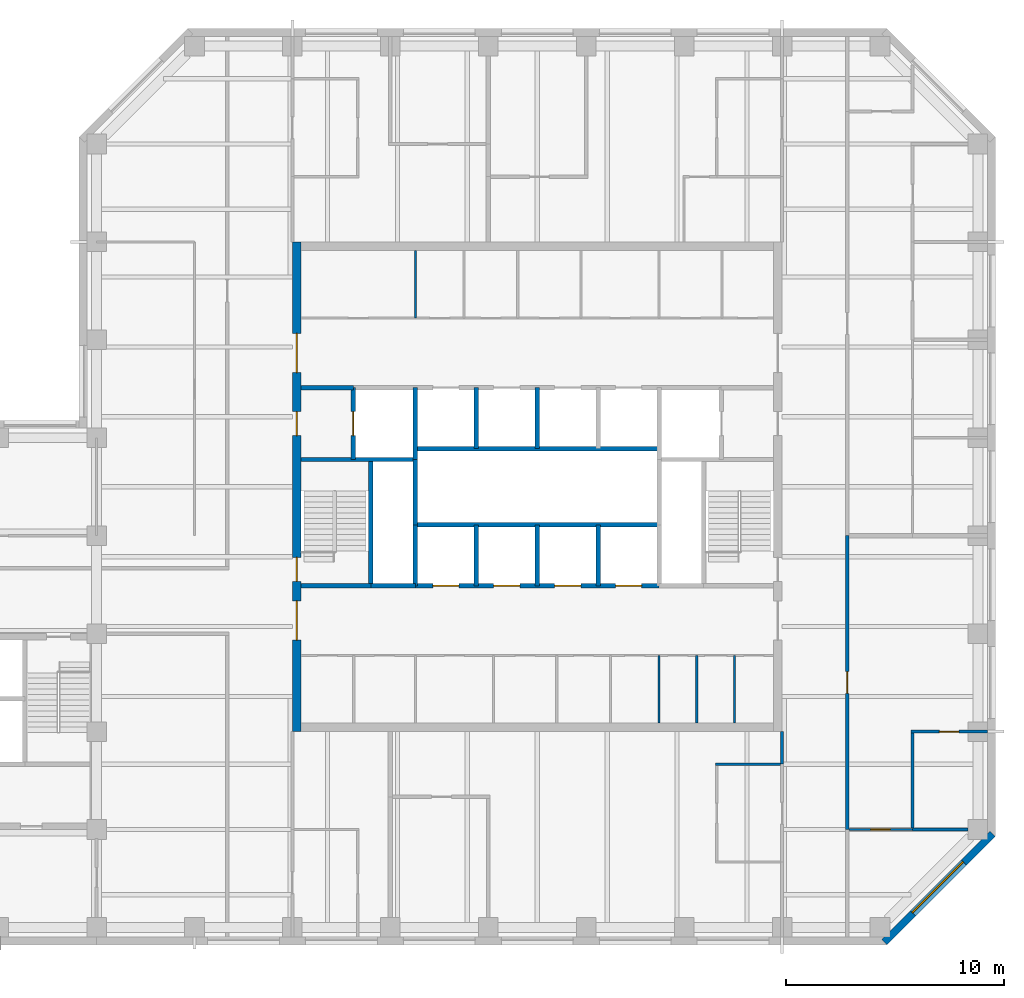
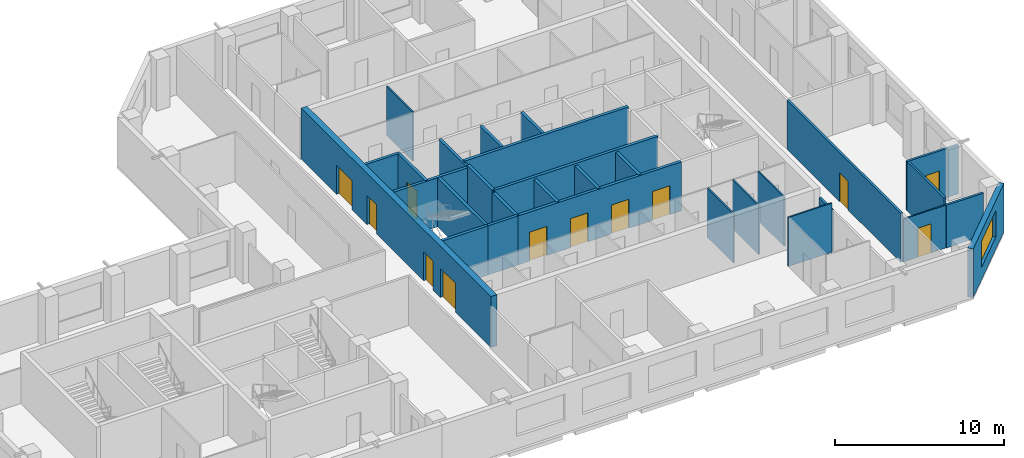
# One storey, part 5 of 9: 30 walls, 12 doors, 1 window, 13 openings.
"""IFC4 building model written with IfcOpenShell, lengths in metres."""

import ifcopenshell
import ifcopenshell.guid

model = None  # the IFC model being written
_history = None  # IfcOwnerHistory: only IFC2X3 demands one
_inside = {}  # id of a spatial element -> (the spatial element, [elements in it])
_under = {}  # id of a project, library or spatial element -> (it, [spatial elements below it])
_declared = {}  # id of a project -> (the project, [libraries it declares])
_typed = {}  # id of a type object -> (the type object, [elements of that type])
_made_of = {}  # id of a material, layer set ... -> (it, [elements and type objects made of it])


def new_model(schema):
    """Start an empty IFC model of exactly this schema.

    Asked for "IFC4X3", IfcOpenShell would pick the latest addendum, in which some entities
    have other attributes; the version numbers below select the first issue.
    IFC2X3 requires an IfcOwnerHistory on every rooted entity: one is made here for all.
    """
    global model, _history
    if schema == "IFC4X3":
        model = ifcopenshell.file(schema_version=(4, 3, 0, 0))
    else:
        model = ifcopenshell.file(schema=schema)
    _inside.clear()
    _under.clear()
    _declared.clear()
    _typed.clear()
    _made_of.clear()
    _history = None
    if model.schema == "IFC2X3":
        org = make("IfcOrganization", Name="unknown")
        user = make(
            "IfcPersonAndOrganization",
            ThePerson=make("IfcPerson", FamilyName="unknown"),
            TheOrganization=org,
        )
        app = make(
            "IfcApplication",
            ApplicationDeveloper=org,
            Version="unknown",
            ApplicationFullName="unknown",
            ApplicationIdentifier="unknown",
        )
        _history = make(
            "IfcOwnerHistory",
            OwningUser=user,
            OwningApplication=app,
            ChangeAction="ADDED",
            CreationDate=0,
        )
    return model


def make(cls, **values):
    """One entity of the class cls with the attributes given. An attribute that is None is left unset."""
    return model.create_entity(
        cls, **{name: value for name, value in values.items() if value is not None}
    )


def rooted(cls, **values):
    """An entity with a GlobalId (a new one), such as an element, a storey or a relation."""
    return make(cls, GlobalId=ifcopenshell.guid.new(), OwnerHistory=_history, **values)


def si_unit(unit_type, name, prefix=None):
    """IfcSIUnit, for example si_unit("LENGTHUNIT", "METRE", prefix="MILLI")."""
    return make("IfcSIUnit", UnitType=unit_type, Prefix=prefix, Name=name)


def assignment(units):
    """IfcUnitAssignment: the units of a project."""
    return None if units is None else make("IfcUnitAssignment", Units=units)


def point(xyz):
    """IfcCartesianPoint."""
    return None if xyz is None else make("IfcCartesianPoint", Coordinates=xyz)


def direction(xyz):
    """IfcDirection."""
    return None if xyz is None else make("IfcDirection", DirectionRatios=xyz)


def frame(location, z_axis=None, x_axis=None):
    """IfcAxis2Placement3D, a coordinate frame: its origin and axes. An axis left out is left unset."""
    return make(
        "IfcAxis2Placement3D",
        Location=point(location),
        Axis=direction(z_axis),
        RefDirection=direction(x_axis),
    )


def frame_2d(location, x_axis=None):
    """IfcAxis2Placement2D, a coordinate frame in the plane: its origin and x axis."""
    return make(
        "IfcAxis2Placement2D", Location=point(location), RefDirection=direction(x_axis)
    )


def origin():
    """The frame at (0, 0, 0) with its axes left unset."""
    return frame((0.0, 0.0, 0.0))


def place(relative_to, where):
    """IfcLocalPlacement: puts the frame where relative to a parent placement (None: the world)."""
    return make(
        "IfcLocalPlacement", PlacementRelTo=relative_to, RelativePlacement=where
    )


def context(
    kind, dimensions, precision=None, world=None, true_north=None, identifier=None
):
    """IfcGeometricRepresentationContext, for example the 3D "Model" context."""
    return make(
        "IfcGeometricRepresentationContext",
        ContextIdentifier=identifier,
        ContextType=kind,
        CoordinateSpaceDimension=dimensions,
        Precision=precision,
        WorldCoordinateSystem=world,
        TrueNorth=true_north,
    )


def subcontext(parent, identifier, kind, view, scale=None):
    """IfcGeometricRepresentationSubContext, for example "Body" below "Model"."""
    return make(
        "IfcGeometricRepresentationSubContext",
        ContextIdentifier=identifier,
        ContextType=kind,
        ParentContext=parent,
        TargetScale=scale,
        TargetView=view,
    )


def project(units=None, contexts=None):
    """IfcProject with its units and contexts."""
    return rooted(
        "IfcProject",
        Name="project",
        RepresentationContexts=contexts,
        UnitsInContext=assignment(units),
    )


def spatial(cls, under=None, at=None, **own):
    """A site, building, storey or space (cls), placed at a placement, below another one or the project."""
    s = rooted(cls, ObjectPlacement=at, **own)
    if under is not None:
        _under.setdefault(under.id(), (under, []))[1].append(s)
    return s


def profile(cls, at=None, kind="AREA", **sizes):
    """A parametric profile (cls). Its sizes go by their IFC names, for example OverallWidth=200.0."""
    return make(cls, ProfileType=kind, Position=at, **sizes)


def rectangle(**sizes):
    """IfcRectangleProfileDef."""
    return profile("IfcRectangleProfileDef", **sizes)


def extrude(swept, where, along, depth):
    """IfcExtrudedAreaSolid: the profile swept, set in the frame where, extruded along a direction by depth."""
    return make(
        "IfcExtrudedAreaSolid",
        SweptArea=swept,
        Position=where,
        ExtrudedDirection=direction(along),
        Depth=depth,
    )


def shape(context_of_items, identifier, shape_type, items):
    """IfcShapeRepresentation: the items that make up one representation, for example the "Body"."""
    return make(
        "IfcShapeRepresentation",
        ContextOfItems=context_of_items,
        RepresentationIdentifier=identifier,
        RepresentationType=shape_type,
        Items=items,
    )


def material(Name=None, Category=None):
    """IfcMaterial."""
    return make("IfcMaterial", Name=Name, Category=Category)


def layer(
    of_material, thickness, ventilated=None, Name=None, Category=None, Priority=None
):
    """IfcMaterialLayer: one layer of a wall or slab, of a material (None: an air gap)."""
    return make(
        "IfcMaterialLayer",
        Material=of_material,
        LayerThickness=thickness,
        IsVentilated=ventilated,
        Name=Name,
        Category=Category,
        Priority=Priority,
    )


def layer_set(layers, Name=None):
    """IfcMaterialLayerSet."""
    return make("IfcMaterialLayerSet", MaterialLayers=layers, LayerSetName=Name)


def constituent(of_material, Name=None, Category=None, fraction=None):
    """IfcMaterialConstituent: one of the materials an element consists of."""
    return make(
        "IfcMaterialConstituent",
        Name=Name,
        Material=of_material,
        Fraction=fraction,
        Category=Category,
    )


def constituent_set(constituents=None, Name=None):
    """IfcMaterialConstituentSet."""
    return make(
        "IfcMaterialConstituentSet", Name=Name, MaterialConstituents=constituents
    )


def made_of(thing, what):
    """Note that an element or type object is made of a material, layer set ...; save() writes the relation."""
    if what is not None:
        _made_of.setdefault(what.id(), (what, []))[1].append(thing)
    return thing


def type_object(cls, material=None, **own):
    """A type object (cls), such as IfcWallType, which elements share."""
    return made_of(rooted(cls, **own), material)


def element(
    cls,
    number,
    at=None,
    inside=None,
    cuts=None,
    type_object=None,
    material=None,
    context=None,
    identifier="Body",
    shape_type=None,
    held_by="IfcProductDefinitionShape",
    body=None,
    shapes=None,
    **own,
):
    """One element of the class cls, such as IfcWall. Its Tag is "e" and its number.

    at: its placement. inside: the storey or other place that contains it. cuts: it is an
    opening in that element (IfcRelVoidsElement). A single representation is given by context,
    identifier, shape_type and body (its items); several are given by shapes. held_by: the class
    of the entity that holds the representations. save() writes the other relations.
    """
    e = rooted(cls, Tag="e%d" % number, ObjectPlacement=at, **own)
    if body is not None:
        shapes = [shape(context, identifier, shape_type, body)]
    if shapes is not None:
        e.Representation = make(held_by, Representations=shapes)
    if inside is not None:
        _inside.setdefault(inside.id(), (inside, []))[1].append(e)
    if cuts is not None:
        rooted(
            "IfcRelVoidsElement", RelatingBuildingElement=cuts, RelatedOpeningElement=e
        )
    if type_object is not None:
        _typed.setdefault(type_object.id(), (type_object, []))[1].append(e)
    return made_of(e, material)


def fill(opening, filler):
    """IfcRelFillsElement: the door or window that sits in an opening."""
    return rooted(
        "IfcRelFillsElement",
        RelatingOpeningElement=opening,
        RelatedBuildingElement=filler,
    )


def aggregate(whole, parts):
    """IfcRelAggregates: a whole, such as a stair, and the parts it consists of."""
    return rooted("IfcRelAggregates", RelatingObject=whole, RelatedObjects=parts)


def save(model, path):
    """Write the relations noted so far, then the file.

    IfcRelAggregates (storeys below a building ...), IfcRelContainedInSpatialStructure (elements
    in a storey), IfcRelDefinesByType, IfcRelAssociatesMaterial and IfcRelDeclares: one each for
    every whole, place, type object, material and project.
    """
    for whole, parts in _under.values():
        aggregate(whole, parts)
    for where, things in _inside.values():
        rooted(
            "IfcRelContainedInSpatialStructure",
            RelatedElements=things,
            RelatingStructure=where,
        )
    for kind, things in _typed.values():
        rooted("IfcRelDefinesByType", RelatedObjects=things, RelatingType=kind)
    for what, things in _made_of.values():
        rooted("IfcRelAssociatesMaterial", RelatedObjects=things, RelatingMaterial=what)
    for by, libraries in _declared.values():
        rooted("IfcRelDeclares", RelatingContext=by, RelatedDefinitions=libraries)
    model.write(path)


model = new_model("IFC4")

# Units and contexts
model_context = context("Model", 3, precision=1e-05, world=origin(), true_north=direction((0.0, 1.0)))
body_context = subcontext(model_context, "Body", "Model", "MODEL_VIEW")
ifc_project = project(units=[si_unit("LENGTHUNIT", "METRE"), si_unit("AREAUNIT", "SQUARE_METRE"), si_unit("VOLUMEUNIT", "CUBIC_METRE"), si_unit("PLANEANGLEUNIT", "RADIAN"), si_unit("MASSUNIT", "GRAM", prefix="KILO")], contexts=[model_context])

# Site, building, storey
site_placement = place(None, origin())
site = spatial("IfcSite", under=ifc_project, at=site_placement, CompositionType="ELEMENT")
building_placement = place(site_placement, origin())
building = spatial("IfcBuilding", under=site, at=building_placement, Name="Quoin Convention Tower", CompositionType="ELEMENT")
storey_placement = place(building_placement, frame((0.0, 0.0, 230.39990234375)))
storey = spatial("IfcBuildingStorey", under=building, at=storey_placement, Name="L60", CompositionType="ELEMENT", Elevation=230.39990234375)

# Wall, opening, door
ifc_material_1 = material(Name="Plasterboard")
ifc_layer_1 = layer(ifc_material_1, 0.012451171875, Name="Finish")
ifc_material_2 = material(Name="Steel stud framing", Category="steel")
ifc_layer_2 = layer(ifc_material_2, 0.125, Name="Structure")
ifc_layer_3 = layer(ifc_material_1, 0.012451171875, Name="Finish")
ifc_layer_set_1 = layer_set([ifc_layer_1, ifc_layer_2, ifc_layer_3], Name="Steel stud framing")
wall_type_1 = type_object("IfcWallType", Name="Acoustic partition 150", PredefinedType="PARTITIONING", material=ifc_layer_set_1)
wall_1_placement = place(storey_placement, frame((73.425048828125, 49.5, 0.0), z_axis=(0.0, 0.0, 1.0), x_axis=(1.0, 0.0, 0.0)))
wall_1 = element("IfcWall", 1, at=wall_1_placement, inside=storey, type_object=wall_type_1, Name="pw-L60-012", PredefinedType="PARTITIONING", context=body_context, shape_type="SweptSolid", body=[
    extrude(rectangle(XDim=3.52490234375, YDim=0.14990234375, at=frame_2d((1.762451171875, 0.0))), origin(), (0.0, 0.0, 1.0), 3.550048828125),
])
opening_1_placement = place(wall_1_placement, frame((1.300048828125, 0.0, 0.0)))
opening_1 = element("IfcOpeningElement", 2, at=opening_1_placement, cuts=wall_1, Name="Opening DOH10-03", PredefinedType="OPENING", context=body_context, shape_type="SweptSolid", body=[
    extrude(rectangle(XDim=0.89990234375, YDim=2.10009765625, at=frame_2d((0.449951171875, 1.050048828125))), frame((0.0, 0.0849609375, 0.0), z_axis=(0.0, -1.0, 0.0), x_axis=(1.0, 0.0, 0.0)), (0.0, 0.0, 1.0), 0.169921875),
])
ifc_material_3 = material(Name="Steel door leaf", Category="steel")
door_type_1 = type_object("IfcDoorType", Name="Office door 900 x 2100", OperationType="SINGLE_SWING_RIGHT", PredefinedType="DOOR", material=ifc_material_3)
door_1_placement = place(opening_1_placement, origin())
door_1 = element("IfcDoor", 3, at=door_1_placement, inside=storey, type_object=door_type_1, Name="dr-L60-24", OperationType="SINGLE_SWING_RIGHT", OverallHeight=2.10009765625, OverallWidth=0.89990234375, PredefinedType="DOOR", context=body_context, shape_type="SweptSolid", body=[
    extrude(rectangle(XDim=0.89990234375, YDim=2.10009765625, at=frame_2d((0.449951171875, 1.050048828125))), frame((0.0, 0.02490234375, 0.0), z_axis=(0.0, -1.0, 0.0), x_axis=(1.0, 0.0, 0.0)), (0.0, 0.0, 1.0), 0.050048828125),
])
fill(opening_1, door_1)

# Walls
wall_2_placement = place(storey_placement, frame((73.5, 45.074951171875, 0.0), z_axis=(0.0, 0.0, 1.0), x_axis=(0.0, 1.0, 0.0)))
element("IfcWall", 4, at=wall_2_placement, inside=storey, type_object=wall_type_1, Name="pw-L60-050", PredefinedType="PARTITIONING", context=body_context, shape_type="SweptSolid", body=[
    extrude(rectangle(XDim=4.35009765625, YDim=0.14990234375, at=frame_2d((2.175048828125, 0.0))), origin(), (0.0, 0.0, 1.0), 3.550048828125),
])
ifc_layer_4 = layer(ifc_material_1, 0.012451171875, Name="Finish")
ifc_layer_5 = layer(ifc_material_2, 0.125, Name="Structure")
ifc_layer_6 = layer(ifc_material_1, 0.012451171875, Name="Finish")
ifc_layer_set_2 = layer_set([ifc_layer_4, ifc_layer_5, ifc_layer_6], Name="Steel stud framing")
wall_type_2 = type_object("IfcWallType", Name="Acoustic partition 150 under beam 454", PredefinedType="PARTITIONING", material=ifc_layer_set_2)
wall_3_placement = place(storey_placement, frame((73.5, 45.0, 0.0), z_axis=(0.0, 0.0, 1.0), x_axis=(1.0, 0.0, 0.0)))
element("IfcWall", 5, at=wall_3_placement, inside=storey, type_object=wall_type_2, Name="pw-L60-007", PredefinedType="PARTITIONING", context=body_context, shape_type="SweptSolid", body=[
    extrude(rectangle(XDim=2.550048828125, YDim=0.14990234375, at=frame_2d((1.27490234375, 0.0))), origin(), (0.0, 0.0, 1.0), 3.09619140625),
])

# Wall, opening, window
ifc_material_4 = material(Name="Brick masonry", Category="masonry")
ifc_layer_7 = layer(ifc_material_4, 0.35009765625)
ifc_layer_set_3 = layer_set([ifc_layer_7], Name="Brick masonry")
wall_type_3 = type_object("IfcWallType", Name="Brick facade wall", PredefinedType="STANDARD", material=ifc_layer_set_3)
wall_4_placement = place(storey_placement, frame((72.20751953125, 39.82373046875, 0.0), z_axis=(0.0, 0.0, 1.0), x_axis=(0.707106781187, 0.707106781187, 0.0)))
wall_4 = element("IfcWall", 6, at=wall_4_placement, inside=storey, type_object=wall_type_3, Name="fw-L60-72000_40500", PredefinedType="STANDARD", context=body_context, shape_type="SweptSolid", body=[
    extrude(rectangle(XDim=7.02685546875, YDim=0.35009765625, at=frame_2d((3.513427734375, 0.0))), origin(), (0.0, 0.0, 1.0), 3.525146484375),
])
opening_2_placement = place(wall_4_placement, frame((1.86328125, 0.0, 0.89990234375)))
opening_2 = element("IfcOpeningElement", 7, at=opening_2_placement, cuts=wall_4, Name="Opening W-02", PredefinedType="OPENING", context=body_context, shape_type="SweptSolid", body=[
    extrude(rectangle(XDim=3.300048828125, YDim=1.89990234375, at=frame_2d((1.64990234375, 0.949951171875))), frame((0.0, 0.18505859375, 0.0), z_axis=(0.0, -1.0, 0.0), x_axis=(1.0, 0.0, 0.0)), (0.0, 0.0, 1.0), 0.3701171875),
])
ifc_material_5 = material(Name="Aluminium", Category="aluminium")
ifc_constituent_1 = constituent(ifc_material_5, Name="Frame")
ifc_material_6 = material(Name="Insulated glass", Category="glass")
ifc_constituent_2 = constituent(ifc_material_6, Name="Glazing")
ifc_constituent_set = constituent_set(constituents=[ifc_constituent_1, ifc_constituent_2], Name="Aluminium")
window_type = type_object("IfcWindowType", Name="Office window", PartitioningType="DOUBLE_PANEL_VERTICAL", PredefinedType="WINDOW", material=ifc_constituent_set)
window_placement = place(opening_2_placement, origin())
window = element("IfcWindow", 8, at=window_placement, inside=storey, type_object=window_type, Name="win-L60-74692_42308", OverallHeight=1.89990234375, OverallWidth=3.300048828125, PartitioningType="SINGLE_PANEL", PredefinedType="WINDOW", context=body_context, shape_type="SweptSolid", body=[
    extrude(rectangle(XDim=3.300048828125, YDim=1.89990234375, at=frame_2d((1.64990234375, 0.949951171875))), frame((0.0, 0.0849609375, 0.0), z_axis=(0.0, -1.0, 0.0), x_axis=(1.0, 0.0, 0.0)), (0.0, 0.0, 1.0), 0.06005859375),
])
fill(opening_2, window)

# Walls
ifc_layer_8 = layer(ifc_material_1, 0.012451171875, Name="Finish")
ifc_layer_9 = layer(ifc_material_2, 0.074951171875, Name="Structure")
ifc_layer_10 = layer(ifc_material_1, 0.012451171875, Name="Finish")
ifc_layer_set_4 = layer_set([ifc_layer_8, ifc_layer_9, ifc_layer_10], Name="Steel stud framing")
wall_type_4 = type_object("IfcWallType", Name="Core partition wall", PredefinedType="PARTITIONING", material=ifc_layer_set_4)
for number, where, z_axis, x_axis, name in (
    (9, (50.64990234375, 68.5, 0.0), (0.0, 0.0, 1.0), (0.0, 1.0, 0.0), "cr-C1-L60-v5650_19000"),
    (10, (61.85009765625, 49.89990234375, 0.0), (0.0, 0.0, 1.0), (0.0, 1.0, 0.0), "cr-C1-L60-v16850_400"),
    (11, (63.58251953125, 49.89990234375, 0.0), (0.0, 0.0, 1.0), (0.0, 1.0, 0.0), "cr-C1-L60-v18582_400"),
    (12, (65.31494140625, 49.89990234375, 0.0), (0.0, 0.0, 1.0), (0.0, 1.0, 0.0), "cr-C1-L60-v20315_400"),
):
    element("IfcWall", number, at=place(storey_placement, frame(where, z_axis=z_axis, x_axis=x_axis)), inside=storey, type_object=wall_type_4, Name=name, PredefinedType="PARTITIONING", context=body_context, shape_type="SweptSolid", body=[
        extrude(rectangle(XDim=3.10009765625, YDim=0.10009765625, at=frame_2d((1.550048828125, 0.0))), origin(), (0.0, 0.0, 1.0), 3.550048828125),
    ])
ifc_material_7 = material(Name="Concrete C50", Category="concrete")
ifc_layer_11 = layer(ifc_material_7, 0.199951171875)
ifc_layer_set_5 = layer_set([ifc_layer_11], Name="Concrete C50")
wall_type_5 = type_object("IfcWallType", Name="Core shaft wall", PredefinedType="SOLIDWALL", material=ifc_layer_set_5)
wall_5_placement = place(storey_placement, frame((48.60009765625, 56.199951171875, 0.0), z_axis=(0.0, 0.0, 1.0), x_axis=(1.0, 0.0, 0.0)))
element("IfcWall", 13, at=wall_5_placement, inside=storey, type_object=wall_type_5, Name="cr-C1-L60-h6700_3600", PredefinedType="SOLIDWALL", context=body_context, shape_type="SweptSolid", body=[
    extrude(rectangle(XDim=2.0498046875, YDim=0.199951171875, at=frame_2d((1.02490234375, 0.0))), origin(), (0.0, 0.0, 1.0), 3.550048828125),
])
wall_6_placement = place(storey_placement, frame((45.39990234375, 56.199951171875, 0.0), z_axis=(0.0, 0.0, 1.0), x_axis=(1.0, 0.0, 0.0)))
element("IfcWall", 14, at=wall_6_placement, inside=storey, type_object=wall_type_5, Name="cr-C1-L60-h6700_400", PredefinedType="SOLIDWALL", context=body_context, shape_type="SweptSolid", body=[
    extrude(rectangle(XDim=3.2001953125, YDim=0.199951171875, at=frame_2d((1.60009765625, 0.0))), origin(), (0.0, 0.0, 1.0), 3.550048828125),
])

# Wall, openings, doors
wall_7_placement = place(storey_placement, frame((50.64990234375, 56.199951171875, 0.0), z_axis=(0.0, 0.0, 1.0), x_axis=(1.0, 0.0, 0.0)))
wall_7 = element("IfcWall", 15, at=wall_7_placement, inside=storey, type_object=wall_type_5, Name="cr-C1-L60-h6700_5650", PredefinedType="SOLIDWALL", context=body_context, shape_type="SweptSolid", body=[
    extrude(rectangle(XDim=11.2001953125, YDim=0.199951171875, at=frame_2d((5.60009765625, 0.0))), origin(), (0.0, 0.0, 1.0), 3.550048828125),
])
opening_3_placement = place(wall_7_placement, frame((0.800048828125, 0.0, 0.0)))
opening_3 = element("IfcOpeningElement", 16, at=opening_3_placement, cuts=wall_7, Name="Opening LDH1", PredefinedType="OPENING", context=body_context, shape_type="SweptSolid", body=[
    extrude(rectangle(XDim=1.199951171875, YDim=2.10009765625, at=frame_2d((0.60009765625, 1.050048828125))), frame((0.0, 0.10986328125, 0.0), z_axis=(0.0, -1.0, 0.0), x_axis=(1.0, 0.0, 0.0)), (0.0, 0.0, 1.0), 0.219970703125),
])
opening_4_placement = place(wall_7_placement, frame((3.60009765625, 0.0, 0.0)))
opening_4 = element("IfcOpeningElement", 17, at=opening_4_placement, cuts=wall_7, Name="Opening LDH2", PredefinedType="OPENING", context=body_context, shape_type="SweptSolid", body=[
    extrude(rectangle(XDim=1.199951171875, YDim=2.10009765625, at=frame_2d((0.60009765625, 1.050048828125))), frame((0.0, 0.10986328125, 0.0), z_axis=(0.0, -1.0, 0.0), x_axis=(1.0, 0.0, 0.0)), (0.0, 0.0, 1.0), 0.219970703125),
])
opening_5_placement = place(wall_7_placement, frame((6.39990234375, 0.0, 0.0)))
opening_5 = element("IfcOpeningElement", 18, at=opening_5_placement, cuts=wall_7, Name="Opening LDH3", PredefinedType="OPENING", context=body_context, shape_type="SweptSolid", body=[
    extrude(rectangle(XDim=1.199951171875, YDim=2.10009765625, at=frame_2d((0.60009765625, 1.050048828125))), frame((0.0, 0.10986328125, 0.0), z_axis=(0.0, -1.0, 0.0), x_axis=(1.0, 0.0, 0.0)), (0.0, 0.0, 1.0), 0.219970703125),
])
opening_6_placement = place(wall_7_placement, frame((9.199951171875, 0.0, 0.0)))
opening_6 = element("IfcOpeningElement", 19, at=opening_6_placement, cuts=wall_7, Name="Opening LDH4", PredefinedType="OPENING", context=body_context, shape_type="SweptSolid", body=[
    extrude(rectangle(XDim=1.199951171875, YDim=2.10009765625, at=frame_2d((0.60009765625, 1.050048828125))), frame((0.0, 0.10986328125, 0.0), z_axis=(0.0, -1.0, 0.0), x_axis=(1.0, 0.0, 0.0)), (0.0, 0.0, 1.0), 0.219970703125),
])
door_type_2 = type_object("IfcDoorType", Name="Lift landing door 1200 x 2100", OperationType="DOUBLE_DOOR_SLIDING", PredefinedType="DOOR", material=ifc_material_3)
door_2_placement = place(opening_3_placement, origin())
door_2 = element("IfcDoor", 20, at=door_2_placement, inside=storey, type_object=door_type_2, Name="cd-C1-L60-R20-lobA-LDH1", OperationType="DOUBLE_DOOR_SLIDING", OverallHeight=2.10009765625, OverallWidth=1.199951171875, PredefinedType="DOOR", context=body_context, shape_type="SweptSolid", body=[
    extrude(rectangle(XDim=1.199951171875, YDim=2.10009765625, at=frame_2d((0.60009765625, 1.050048828125))), frame((0.0, 0.02490234375, 0.0), z_axis=(0.0, -1.0, 0.0), x_axis=(1.0, 0.0, 0.0)), (0.0, 0.0, 1.0), 0.050048828125),
])
fill(opening_3, door_2)
door_3_placement = place(opening_4_placement, origin())
door_3 = element("IfcDoor", 21, at=door_3_placement, inside=storey, type_object=door_type_2, Name="cd-C1-L60-R21-lobA-LDH2", OperationType="DOUBLE_DOOR_SLIDING", OverallHeight=2.10009765625, OverallWidth=1.199951171875, PredefinedType="DOOR", context=body_context, shape_type="SweptSolid", body=[
    extrude(rectangle(XDim=1.199951171875, YDim=2.10009765625, at=frame_2d((0.60009765625, 1.050048828125))), frame((0.0, 0.02490234375, 0.0), z_axis=(0.0, -1.0, 0.0), x_axis=(1.0, 0.0, 0.0)), (0.0, 0.0, 1.0), 0.050048828125),
])
fill(opening_4, door_3)
door_4_placement = place(opening_5_placement, origin())
door_4 = element("IfcDoor", 22, at=door_4_placement, inside=storey, type_object=door_type_2, Name="cd-C1-L60-R22-lobA-LDH3", OperationType="DOUBLE_DOOR_SLIDING", OverallHeight=2.10009765625, OverallWidth=1.199951171875, PredefinedType="DOOR", context=body_context, shape_type="SweptSolid", body=[
    extrude(rectangle(XDim=1.199951171875, YDim=2.10009765625, at=frame_2d((0.60009765625, 1.050048828125))), frame((0.0, 0.02490234375, 0.0), z_axis=(0.0, -1.0, 0.0), x_axis=(1.0, 0.0, 0.0)), (0.0, 0.0, 1.0), 0.050048828125),
])
fill(opening_5, door_4)
door_5_placement = place(opening_6_placement, origin())
door_5 = element("IfcDoor", 23, at=door_5_placement, inside=storey, type_object=door_type_2, Name="cd-C1-L60-R23-lobA-LDH4", OperationType="DOUBLE_DOOR_SLIDING", OverallHeight=2.10009765625, OverallWidth=1.199951171875, PredefinedType="DOOR", context=body_context, shape_type="SweptSolid", body=[
    extrude(rectangle(XDim=1.199951171875, YDim=2.10009765625, at=frame_2d((0.60009765625, 1.050048828125))), frame((0.0, 0.02490234375, 0.0), z_axis=(0.0, -1.0, 0.0), x_axis=(1.0, 0.0, 0.0)), (0.0, 0.0, 1.0), 0.050048828125),
])
fill(opening_6, door_5)

# Walls
wall_8_placement = place(storey_placement, frame((45.39990234375, 62.0, 0.0), z_axis=(0.0, 0.0, 1.0), x_axis=(1.0, 0.0, 0.0)))
element("IfcWall", 24, at=wall_8_placement, inside=storey, type_object=wall_type_5, Name="cr-C1-L60-h12500_400", PredefinedType="SOLIDWALL", context=body_context, shape_type="SweptSolid", body=[
    extrude(rectangle(XDim=5.25, YDim=0.199951171875, at=frame_2d((2.625, 0.0))), origin(), (0.0, 0.0, 1.0), 3.550048828125),
])
wall_9_placement = place(storey_placement, frame((45.39990234375, 65.300048828125, 0.0), z_axis=(0.0, 0.0, 1.0), x_axis=(1.0, 0.0, 0.0)))
element("IfcWall", 25, at=wall_9_placement, inside=storey, type_object=wall_type_5, Name="cr-C1-L60-h15800_400", PredefinedType="SOLIDWALL", context=body_context, shape_type="SweptSolid", body=[
    extrude(rectangle(XDim=2.400146484375, YDim=0.199951171875, at=frame_2d((1.2001953125, 0.0))), origin(), (0.0, 0.0, 1.0), 3.550048828125),
])

# Wall, opening, door
wall_10_placement = place(storey_placement, frame((47.800048828125, 62.0, 0.0), z_axis=(0.0, 0.0, 1.0), x_axis=(0.0, 1.0, 0.0)))
wall_10 = element("IfcWall", 26, at=wall_10_placement, inside=storey, type_object=wall_type_5, Name="cr-C1-L60-v2800_12500", PredefinedType="SOLIDWALL", context=body_context, shape_type="SweptSolid", body=[
    extrude(rectangle(XDim=3.300048828125, YDim=0.199951171875, at=frame_2d((1.64990234375, 0.0))), origin(), (0.0, 0.0, 1.0), 3.550048828125),
])
opening_7_placement = place(wall_10_placement, frame((1.10009765625, 0.0, 0.0)))
opening_7 = element("IfcOpeningElement", 27, at=opening_7_placement, cuts=wall_10, Name="Opening LDFL1", PredefinedType="OPENING", context=body_context, shape_type="SweptSolid", body=[
    extrude(rectangle(XDim=1.10009765625, YDim=2.10009765625, at=frame_2d((0.550048828125, 1.050048828125))), frame((0.0, 0.10986328125, 0.0), z_axis=(0.0, -1.0, 0.0), x_axis=(1.0, 0.0, 0.0)), (0.0, 0.0, 1.0), 0.219970703125),
])
door_type_3 = type_object("IfcDoorType", Name="Lift landing door 1100 x 2100", OperationType="DOUBLE_DOOR_SLIDING", PredefinedType="DOOR", material=ifc_material_3)
door_6_placement = place(opening_7_placement, origin())
door_6 = element("IfcDoor", 28, at=door_6_placement, inside=storey, type_object=door_type_3, Name="cd-C1-L60-FLW-FFW-LDFL1", OperationType="DOUBLE_DOOR_SLIDING", OverallHeight=2.10009765625, OverallWidth=1.10009765625, PredefinedType="DOOR", context=body_context, shape_type="SweptSolid", body=[
    extrude(rectangle(XDim=1.10009765625, YDim=2.10009765625, at=frame_2d((0.550048828125, 1.050048828125))), frame((0.0, 0.02490234375, 0.0), z_axis=(0.0, -1.0, 0.0), x_axis=(1.0, 0.0, 0.0)), (0.0, 0.0, 1.0), 0.050048828125),
])
fill(opening_7, door_6)

# Walls
wall_11_placement = place(storey_placement, frame((48.60009765625, 56.199951171875, 0.0), z_axis=(0.0, 0.0, 1.0), x_axis=(0.0, 1.0, 0.0)))
element("IfcWall", 29, at=wall_11_placement, inside=storey, type_object=wall_type_5, Name="cr-C1-L60-v3600_6700", PredefinedType="SOLIDWALL", context=body_context, shape_type="SweptSolid", body=[
    extrude(rectangle(XDim=5.800048828125, YDim=0.199951171875, at=frame_2d((2.89990234375, 0.0))), origin(), (0.0, 0.0, 1.0), 3.550048828125),
])
wall_12_placement = place(storey_placement, frame((50.64990234375, 56.199951171875, 0.0), z_axis=(0.0, 0.0, 1.0), x_axis=(0.0, 1.0, 0.0)))
element("IfcWall", 30, at=wall_12_placement, inside=storey, type_object=wall_type_5, Name="cr-C1-L60-v5650_6700", PredefinedType="SOLIDWALL", context=body_context, shape_type="SweptSolid", body=[
    extrude(rectangle(XDim=2.800048828125, YDim=0.199951171875, at=frame_2d((1.39990234375, 0.0))), origin(), (0.0, 0.0, 1.0), 3.550048828125),
])
wall_13_placement = place(storey_placement, frame((50.64990234375, 62.0, 0.0), z_axis=(0.0, 0.0, 1.0), x_axis=(0.0, 1.0, 0.0)))
element("IfcWall", 31, at=wall_13_placement, inside=storey, type_object=wall_type_5, Name="cr-C1-L60-v5650_12500", PredefinedType="SOLIDWALL", context=body_context, shape_type="SweptSolid", body=[
    extrude(rectangle(XDim=3.300048828125, YDim=0.199951171875, at=frame_2d((1.64990234375, 0.0))), origin(), (0.0, 0.0, 1.0), 3.550048828125),
])
for number, where, z_axis, x_axis, name in (
    (32, (53.449951171875, 56.199951171875, 0.0), (0.0, 0.0, 1.0), (0.0, 1.0, 0.0), "cr-C1-L60-v8450_6700"),
    (33, (53.449951171875, 62.5, 0.0), (0.0, 0.0, 1.0), (0.0, 1.0, 0.0), "cr-C1-L60-v8450_13000"),
    (34, (56.25, 56.199951171875, 0.0), (0.0, 0.0, 1.0), (0.0, 1.0, 0.0), "cr-C1-L60-v11250_6700"),
    (35, (56.25, 62.5, 0.0), (0.0, 0.0, 1.0), (0.0, 1.0, 0.0), "cr-C1-L60-v11250_13000"),
    (36, (59.050048828125, 56.199951171875, 0.0), (0.0, 0.0, 1.0), (0.0, 1.0, 0.0), "cr-C1-L60-v14050_6700"),
):
    element("IfcWall", number, at=place(storey_placement, frame(where, z_axis=z_axis, x_axis=x_axis)), inside=storey, type_object=wall_type_5, Name=name, PredefinedType="SOLIDWALL", context=body_context, shape_type="SweptSolid", body=[
        extrude(rectangle(XDim=2.800048828125, YDim=0.199951171875, at=frame_2d((1.39990234375, 0.0))), origin(), (0.0, 0.0, 1.0), 3.550048828125),
    ])
ifc_layer_12 = layer(ifc_material_7, 0.199951171875)
ifc_layer_set_6 = layer_set([ifc_layer_12], Name="Concrete C50")
wall_type_6 = type_object("IfcWallType", Name="Core shaft wall to the floor level over", PredefinedType="SOLIDWALL", material=ifc_layer_set_6)
for number, where, z_axis, x_axis, name in (
    (37, (50.64990234375, 59.0, 0.0), (0.0, 0.0, 1.0), (1.0, 0.0, 0.0), "cr-C1-L60-h9500_5650"),
    (38, (50.64990234375, 62.5, 0.0), (0.0, 0.0, 1.0), (1.0, 0.0, 0.0), "cr-C1-L60-h13000_5650"),
):
    element("IfcWall", number, at=place(storey_placement, frame(where, z_axis=z_axis, x_axis=x_axis)), inside=storey, type_object=wall_type_6, Name=name, PredefinedType="SOLIDWALL", context=body_context, shape_type="SweptSolid", body=[
        extrude(rectangle(XDim=11.2001953125, YDim=0.199951171875, at=frame_2d((5.60009765625, 0.0))), origin(), (0.0, 0.0, 1.0), 3.7001953125),
    ])
wall_14_placement = place(storey_placement, frame((50.64990234375, 59.0, 0.0), z_axis=(0.0, 0.0, 1.0), x_axis=(0.0, 1.0, 0.0)))
element("IfcWall", 39, at=wall_14_placement, inside=storey, type_object=wall_type_6, Name="cr-C1-L60-v5650_9500", PredefinedType="SOLIDWALL", context=body_context, shape_type="SweptSolid", body=[
    extrude(rectangle(XDim=3.0, YDim=0.199951171875, at=frame_2d((1.5, 0.0))), origin(), (0.0, 0.0, 1.0), 3.7001953125),
])

# Wall, opening, door
ifc_layer_13 = layer(ifc_material_1, 0.012451171875, Name="Finish")
ifc_layer_14 = layer(ifc_material_2, 0.125, Name="Structure")
ifc_layer_15 = layer(ifc_material_1, 0.012451171875, Name="Finish")
ifc_layer_set_7 = layer_set([ifc_layer_13, ifc_layer_14, ifc_layer_15], Name="Steel stud framing")
wall_type_7 = type_object("IfcWallType", Name="Corridor wall 150", PredefinedType="PARTITIONING", material=ifc_layer_set_7)
wall_15_placement = place(storey_placement, frame((70.5, 45.0, 0.0), z_axis=(0.0, 0.0, 1.0), x_axis=(0.0, 1.0, 0.0)))
wall_15 = element("IfcWall", 40, at=wall_15_placement, inside=storey, type_object=wall_type_7, Name="pw-L60-048", PredefinedType="PARTITIONING", context=body_context, shape_type="SweptSolid", body=[
    extrude(rectangle(XDim=13.5, YDim=0.14990234375, at=frame_2d((6.75, 0.0))), origin(), (0.0, 0.0, 1.0), 3.550048828125),
])
opening_8_placement = place(wall_15_placement, frame((6.25, 0.0, 0.0)))
opening_8 = element("IfcOpeningElement", 41, at=opening_8_placement, cuts=wall_15, Name="Opening DOH10-13", PredefinedType="OPENING", context=body_context, shape_type="SweptSolid", body=[
    extrude(rectangle(XDim=1.0, YDim=2.10009765625, at=frame_2d((0.5, 1.050048828125))), frame((0.0, 0.0849609375, 0.0), z_axis=(0.0, -1.0, 0.0), x_axis=(1.0, 0.0, 0.0)), (0.0, 0.0, 1.0), 0.169921875),
])
door_type_4 = type_object("IfcDoorType", Name="Tenancy entrance door 1000 x 2100", OperationType="DOUBLE_DOOR_SINGLE_SWING", PredefinedType="DOOR", material=ifc_material_3)
door_7_placement = place(opening_8_placement, frame((1.0, 0.0, 0.0), z_axis=(0.0, 0.0, 1.0), x_axis=(-1.0, 0.0, 0.0)))
door_7 = element("IfcDoor", 42, at=door_7_placement, inside=storey, type_object=door_type_4, Name="dr-L60-22", OperationType="DOUBLE_DOOR_SINGLE_SWING", OverallHeight=2.10009765625, OverallWidth=1.0, PredefinedType="DOOR", context=body_context, shape_type="SweptSolid", body=[
    extrude(rectangle(XDim=1.0, YDim=2.10009765625, at=frame_2d((0.5, 1.050048828125))), frame((0.0, 0.02490234375, 0.0), z_axis=(0.0, -1.0, 0.0), x_axis=(1.0, 0.0, 0.0)), (0.0, 0.0, 1.0), 0.050048828125),
])
fill(opening_8, door_7)

# Wall
ifc_layer_16 = layer(ifc_material_1, 0.012451171875, Name="Finish")
ifc_layer_17 = layer(ifc_material_2, 0.125, Name="Structure")
ifc_layer_18 = layer(ifc_material_1, 0.012451171875, Name="Finish")
ifc_layer_set_8 = layer_set([ifc_layer_16, ifc_layer_17, ifc_layer_18], Name="Steel stud framing")
wall_type_8 = type_object("IfcWallType", Name="Corridor wall 150 under beam 528", PredefinedType="PARTITIONING", material=ifc_layer_set_8)
wall_16_placement = place(storey_placement, frame((67.5, 48.0, 0.0), z_axis=(0.0, 0.0, 1.0), x_axis=(0.0, 1.0, 0.0)))
element("IfcWall", 43, at=wall_16_placement, inside=storey, type_object=wall_type_8, Name="pw-L60-054", PredefinedType="PARTITIONING", context=body_context, shape_type="SweptSolid", body=[
    extrude(rectangle(XDim=1.5, YDim=0.14990234375, at=frame_2d((0.75, 0.0))), origin(), (0.0, 0.0, 1.0), 3.022216796875),
])

# Wall, openings, doors
ifc_layer_19 = layer(ifc_material_7, 0.39990234375)
ifc_layer_set_9 = layer_set([ifc_layer_19], Name="Concrete C50")
wall_type_9 = type_object("IfcWallType", Name="RC CORE WALL 400 C50", PredefinedType="SHEAR", material=ifc_layer_set_9)
wall_17_placement = place(storey_placement, frame((45.199951171875, 49.5, 0.0), z_axis=(0.0, 0.0, 1.0), x_axis=(0.0, 1.0, 0.0)))
wall_17 = element("IfcWall", 44, at=wall_17_placement, inside=storey, type_object=wall_type_9, Name="cwl-C1-L60-W", PredefinedType="SHEAR", context=body_context, shape_type="SweptSolid", body=[
    extrude(rectangle(XDim=22.5, YDim=0.39990234375, at=frame_2d((11.25, 0.0))), origin(), (0.0, 0.0, 1.0), 3.7001953125),
])
opening_9_placement = place(wall_17_placement, frame((4.199951171875, 0.0, 0.0)))
opening_9 = element("IfcOpeningElement", 45, at=opening_9_placement, cuts=wall_17, Name="Opening DCV2-40", PredefinedType="OPENING", context=body_context, shape_type="SweptSolid", body=[
    extrude(rectangle(XDim=1.800048828125, YDim=2.10009765625, at=frame_2d((0.89990234375, 1.050048828125))), frame((0.0, 0.2099609375, 0.0), z_axis=(0.0, -1.0, 0.0), x_axis=(1.0, 0.0, 0.0)), (0.0, 0.0, 1.0), 0.419921875),
])
opening_10_placement = place(wall_17_placement, frame((6.89990234375, 0.0, 0.0)))
opening_10 = element("IfcOpeningElement", 46, at=opening_10_placement, cuts=wall_17, Name="Opening SD1", PredefinedType="OPENING", context=body_context, shape_type="SweptSolid", body=[
    extrude(rectangle(XDim=1.10009765625, YDim=2.10009765625, at=frame_2d((0.550048828125, 1.050048828125))), frame((0.0, 0.2099609375, 0.0), z_axis=(0.0, -1.0, 0.0), x_axis=(1.0, 0.0, 0.0)), (0.0, 0.0, 1.0), 0.419921875),
])
opening_11_placement = place(wall_17_placement, frame((13.60009765625, 0.0, 0.0)))
opening_11 = element("IfcOpeningElement", 47, at=opening_11_placement, cuts=wall_17, Name="Opening DCV2-39", PredefinedType="OPENING", context=body_context, shape_type="SweptSolid", body=[
    extrude(rectangle(XDim=1.10009765625, YDim=2.10009765625, at=frame_2d((0.550048828125, 1.050048828125))), frame((0.0, 0.2099609375, 0.0), z_axis=(0.0, -1.0, 0.0), x_axis=(1.0, 0.0, 0.0)), (0.0, 0.0, 1.0), 0.419921875),
])
opening_12_placement = place(wall_17_placement, frame((16.5, 0.0, 0.0)))
opening_12 = element("IfcOpeningElement", 48, at=opening_12_placement, cuts=wall_17, Name="Opening DCV2-40", PredefinedType="OPENING", context=body_context, shape_type="SweptSolid", body=[
    extrude(rectangle(XDim=1.800048828125, YDim=2.10009765625, at=frame_2d((0.89990234375, 1.050048828125))), frame((0.0, 0.2099609375, 0.0), z_axis=(0.0, -1.0, 0.0), x_axis=(1.0, 0.0, 0.0)), (0.0, 0.0, 1.0), 0.419921875),
])
door_type_5 = type_object("IfcDoorType", Name="Fire-fighting lobby door 1100 x 2100", OperationType="SINGLE_SWING_LEFT", PredefinedType="DOOR", material=ifc_material_3)
door_8_placement = place(opening_11_placement, frame((1.10009765625, 0.0, 0.0), z_axis=(0.0, 0.0, 1.0), x_axis=(-1.0, 0.0, 0.0)))
door_8 = element("IfcDoor", 49, at=door_8_placement, inside=storey, type_object=door_type_5, Name="cd-C1-L60-FFW-W", OperationType="SINGLE_SWING_LEFT", OverallHeight=2.10009765625, OverallWidth=1.10009765625, PredefinedType="DOOR", context=body_context, shape_type="SweptSolid", body=[
    extrude(rectangle(XDim=1.10009765625, YDim=2.10009765625, at=frame_2d((0.550048828125, 1.050048828125))), frame((0.0, 0.02490234375, 0.0), z_axis=(0.0, -1.0, 0.0), x_axis=(1.0, 0.0, 0.0)), (0.0, 0.0, 1.0), 0.050048828125),
])
fill(opening_11, door_8)
door_type_6 = type_object("IfcDoorType", Name="Lift lobby door 1800 x 2100", OperationType="SINGLE_SWING_LEFT", PredefinedType="DOOR", material=ifc_material_3)
door_9_placement = place(opening_9_placement, frame((1.800048828125, 0.0, 0.0), z_axis=(0.0, 0.0, 1.0), x_axis=(-1.0, 0.0, 0.0)))
door_9 = element("IfcDoor", 50, at=door_9_placement, inside=storey, type_object=door_type_6, Name="cd-C1-L60-lobA-W", OperationType="SINGLE_SWING_LEFT", OverallHeight=2.10009765625, OverallWidth=1.800048828125, PredefinedType="DOOR", context=body_context, shape_type="SweptSolid", body=[
    extrude(rectangle(XDim=1.800048828125, YDim=2.10009765625, at=frame_2d((0.89990234375, 1.050048828125))), frame((0.0, 0.02490234375, 0.0), z_axis=(0.0, -1.0, 0.0), x_axis=(1.0, 0.0, 0.0)), (0.0, 0.0, 1.0), 0.050048828125),
])
fill(opening_9, door_9)
door_10_placement = place(opening_12_placement, frame((1.800048828125, 0.0, 0.0), z_axis=(0.0, 0.0, 1.0), x_axis=(-1.0, 0.0, 0.0)))
door_10 = element("IfcDoor", 51, at=door_10_placement, inside=storey, type_object=door_type_6, Name="cd-C1-L60-lobB-W", OperationType="SINGLE_SWING_LEFT", OverallHeight=2.10009765625, OverallWidth=1.800048828125, PredefinedType="DOOR", context=body_context, shape_type="SweptSolid", body=[
    extrude(rectangle(XDim=1.800048828125, YDim=2.10009765625, at=frame_2d((0.89990234375, 1.050048828125))), frame((0.0, 0.02490234375, 0.0), z_axis=(0.0, -1.0, 0.0), x_axis=(1.0, 0.0, 0.0)), (0.0, 0.0, 1.0), 0.050048828125),
])
fill(opening_12, door_10)
door_type_7 = type_object("IfcDoorType", Name="Stair door 1100 x 2100", OperationType="SINGLE_SWING_RIGHT", PredefinedType="DOOR", material=ifc_material_3)
door_11_placement = place(opening_10_placement, frame((1.10009765625, 0.0, 0.0), z_axis=(0.0, 0.0, 1.0), x_axis=(-1.0, 0.0, 0.0)))
door_11 = element("IfcDoor", 52, at=door_11_placement, inside=storey, type_object=door_type_7, Name="cd-C1-L60-STW-W", OperationType="SINGLE_SWING_RIGHT", OverallHeight=2.10009765625, OverallWidth=1.10009765625, PredefinedType="DOOR", context=body_context, shape_type="SweptSolid", body=[
    extrude(rectangle(XDim=1.10009765625, YDim=2.10009765625, at=frame_2d((0.550048828125, 1.050048828125))), frame((0.0, 0.02490234375, 0.0), z_axis=(0.0, -1.0, 0.0), x_axis=(1.0, 0.0, 0.0)), (0.0, 0.0, 1.0), 0.050048828125),
])
fill(opening_10, door_11)

# Wall
ifc_layer_20 = layer(ifc_material_1, 0.012451171875, Name="Finish")
ifc_layer_21 = layer(ifc_material_2, 0.074951171875, Name="Structure")
ifc_layer_22 = layer(ifc_material_1, 0.012451171875, Name="Finish")
ifc_layer_set_10 = layer_set([ifc_layer_20, ifc_layer_21, ifc_layer_22], Name="Steel stud framing")
wall_type_10 = type_object("IfcWallType", Name="Stud partition 100", PredefinedType="PARTITIONING", material=ifc_layer_set_10)
wall_18_placement = place(storey_placement, frame((64.449951171875, 48.0, 0.0), z_axis=(0.0, 0.0, 1.0), x_axis=(1.0, 0.0, 0.0)))
element("IfcWall", 53, at=wall_18_placement, inside=storey, type_object=wall_type_10, Name="pw-L60-010", PredefinedType="PARTITIONING", context=body_context, shape_type="SweptSolid", body=[
    extrude(rectangle(XDim=2.97509765625, YDim=0.10009765625, at=frame_2d((1.487548828125, 0.0))), origin(), (0.0, 0.0, 1.0), 3.550048828125),
])

# Wall, opening, door
ifc_layer_23 = layer(ifc_material_1, 0.012451171875, Name="Finish")
ifc_layer_24 = layer(ifc_material_2, 0.074951171875, Name="Structure")
ifc_layer_25 = layer(ifc_material_1, 0.012451171875, Name="Finish")
ifc_layer_set_11 = layer_set([ifc_layer_23, ifc_layer_24, ifc_layer_25], Name="Steel stud framing")
wall_type_11 = type_object("IfcWallType", Name="Stud partition 100 under beam 454", PredefinedType="PARTITIONING", material=ifc_layer_set_11)
wall_19_placement = place(storey_placement, frame((70.574951171875, 45.0, 0.0), z_axis=(0.0, 0.0, 1.0), x_axis=(1.0, 0.0, 0.0)))
wall_19 = element("IfcWall", 54, at=wall_19_placement, inside=storey, type_object=wall_type_11, Name="pw-L60-006", PredefinedType="PARTITIONING", context=body_context, shape_type="SweptSolid", body=[
    extrude(rectangle(XDim=2.925048828125, YDim=0.10009765625, at=frame_2d((1.46240234375, 0.0))), origin(), (0.0, 0.0, 1.0), 3.09619140625),
])
opening_13_placement = place(wall_19_placement, frame((1.0, 0.0, 0.0)))
opening_13 = element("IfcOpeningElement", 55, at=opening_13_placement, cuts=wall_19, Name="Opening DOH10-01", PredefinedType="OPENING", context=body_context, shape_type="SweptSolid", body=[
    extrude(rectangle(XDim=0.89990234375, YDim=2.10009765625, at=frame_2d((0.449951171875, 1.050048828125))), frame((0.0, 0.06005859375, 0.0), z_axis=(0.0, -1.0, 0.0), x_axis=(1.0, 0.0, 0.0)), (0.0, 0.0, 1.0), 0.1201171875),
])
door_12_placement = place(opening_13_placement, origin())
door_12 = element("IfcDoor", 56, at=door_12_placement, inside=storey, type_object=door_type_1, Name="dr-L60-23", OperationType="SINGLE_SWING_RIGHT", OverallHeight=2.10009765625, OverallWidth=0.89990234375, PredefinedType="DOOR", context=body_context, shape_type="SweptSolid", body=[
    extrude(rectangle(XDim=0.89990234375, YDim=2.10009765625, at=frame_2d((0.449951171875, 1.050048828125))), frame((0.0, 0.02490234375, 0.0), z_axis=(0.0, -1.0, 0.0), x_axis=(1.0, 0.0, 0.0)), (0.0, 0.0, 1.0), 0.050048828125),
])
fill(opening_13, door_12)

save(model, "model.ifc")
